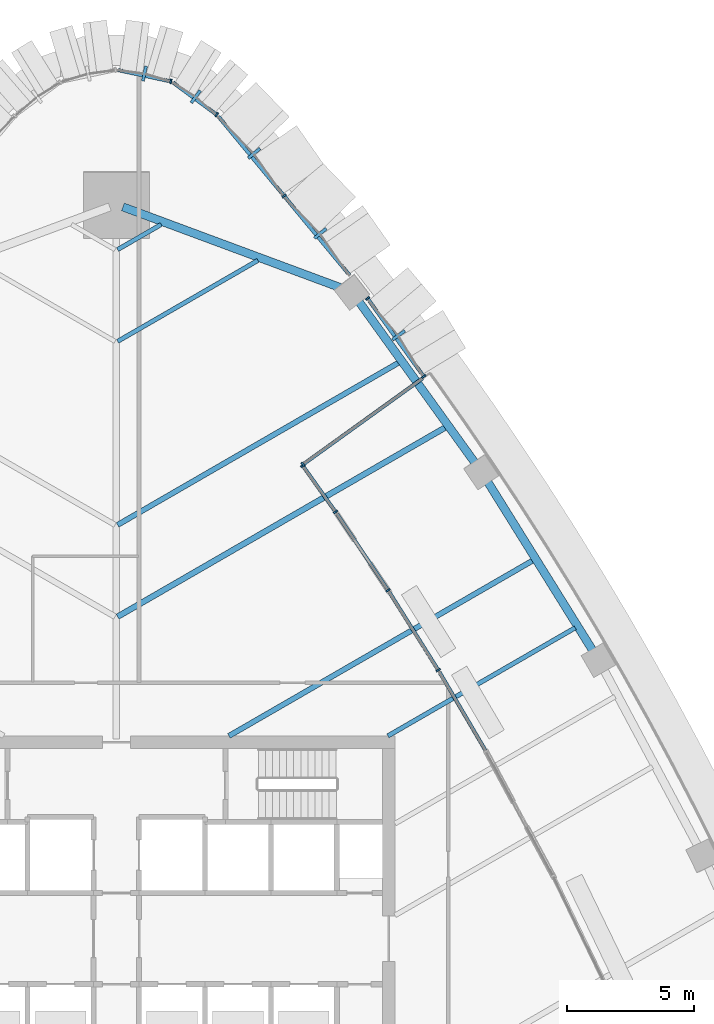
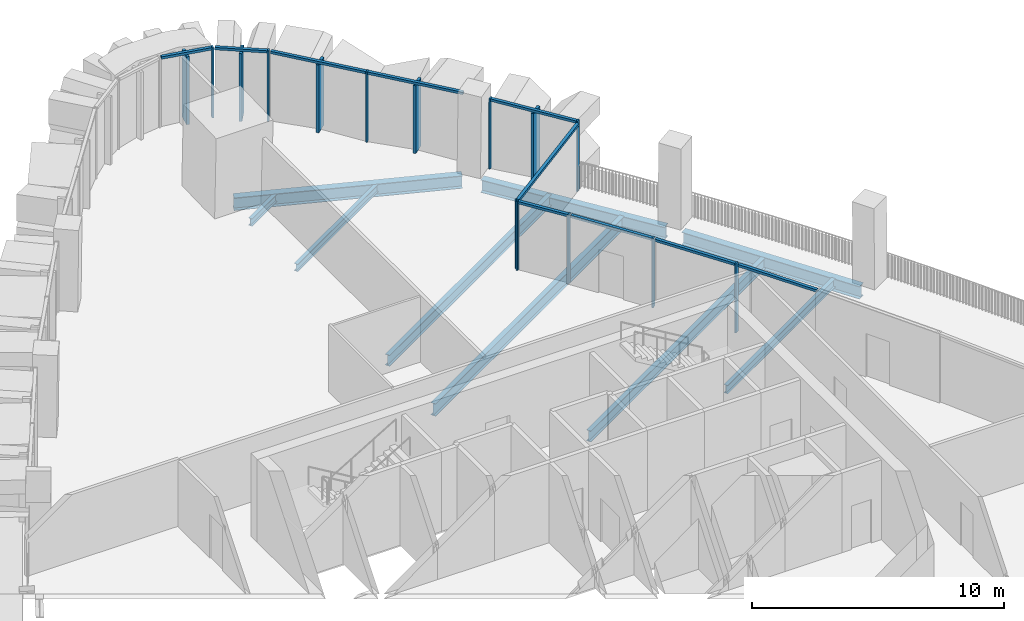
# One storey, part 7 of 20: 25 members, 9 beams, 9 elements without a shape of their own.
"""IFC4 building model written with IfcOpenShell, lengths in metres."""

from ifc_helpers import new_model, si_unit, direction, frame, origin, origin_2d, place, context, subcontext, project, spatial, rectangle, i_section, extrude, material, layer, layer_set, material_profile, profile_set, type_object, element, aggregate, save


model = new_model("IFC4")

# Units and contexts
model_context = context("Model", 3, precision=1e-05, world=origin(), true_north=direction((0.0, 1.0)))
body_context = subcontext(model_context, "Body", "Model", "MODEL_VIEW")
ifc_project = project(units=[si_unit("LENGTHUNIT", "METRE"), si_unit("AREAUNIT", "SQUARE_METRE"), si_unit("VOLUMEUNIT", "CUBIC_METRE"), si_unit("PLANEANGLEUNIT", "RADIAN"), si_unit("MASSUNIT", "GRAM", prefix="KILO")], contexts=[model_context])

# Site, building, storey
site_placement = place(None, origin())
site = spatial("IfcSite", under=ifc_project, at=site_placement, CompositionType="ELEMENT")
building_placement = place(site_placement, origin())
building = spatial("IfcBuilding", under=site, at=building_placement, Name="Sierra Prisma Convention Tower", CompositionType="ELEMENT")
storey_placement = place(building_placement, frame((0.0, 0.0, 125.800048828125)))
storey = spatial("IfcBuildingStorey", under=building, at=storey_placement, Name="L26", CompositionType="ELEMENT", Elevation=125.800048828125)

# Curtain wall, member
ifc_material_1 = material(Name="Aluminium and glass curtain wall", Category="aluminium")
ifc_layer_1 = layer(ifc_material_1, 0.179931640625)
ifc_layer_set_1 = layer_set([ifc_layer_1], Name="CW-2 Faceted crystal curtain wall")
curtain_wall_type_1 = type_object("IfcCurtainWallType", Name="CW-2 Faceted crystal curtain wall", PredefinedType="NOTDEFINED", material=ifc_layer_set_1)
curtain_wall_1_placement = place(storey_placement, origin())
curtain_wall_1 = element("IfcCurtainWall", 1, at=curtain_wall_1_placement, inside=storey, type_object=curtain_wall_type_1, Name="CW-2 NE5b L26", PredefinedType="NOTDEFINED")
ifc_material_2 = material(Name="Aluminium 6063-T6 bronze anodised", Category="aluminium")
ifc_material_profile_1 = material_profile(ifc_material_2, rectangle(XDim=0.1201171875, YDim=0.60009765625, at=origin_2d()), Name="ALU RIDGE BLADE 120x600")
ifc_profile_set_1 = profile_set([ifc_material_profile_1], Name="Aluminium 6063-T6 bronze anodised")
member_type_1 = type_object("IfcMemberType", Name="CW hip bronze", PredefinedType="MULLION", material=ifc_profile_set_1)
member_1_placement = place(storey_placement, frame((11.142822265625, 23.8154296875, 0.0), z_axis=(0.0, 0.0, 1.0), x_axis=(-0.584192270918, 0.811615297169, 0.0)))
member_1 = element("IfcMember", 2, at=member_1_placement, type_object=member_type_1, Name="CW-2 ridge NE5b.1", PredefinedType="MULLION", context=body_context, shape_type="SweptSolid", body=[
    extrude(rectangle(XDim=0.1201171875, YDim=0.60009765625, at=origin_2d()), origin(), (0.0, 0.0, 1.0), 3.280029296875),
])

# Curtain wall, members
curtain_wall_2_placement = place(storey_placement, origin())
curtain_wall_2 = element("IfcCurtainWall", 3, at=curtain_wall_2_placement, inside=storey, type_object=curtain_wall_type_1, Name="CW-2 NE6 L26", PredefinedType="NOTDEFINED")
member_2_placement = place(storey_placement, frame((8.051513671875, 27.834228515625, 0.0), z_axis=(0.0, 0.0, 1.0), x_axis=(-0.637108987456, 0.770773726915, 0.0)))
member_2 = element("IfcMember", 4, at=member_2_placement, type_object=member_type_1, Name="CW-2 ridge NE6.1", PredefinedType="MULLION", context=body_context, shape_type="SweptSolid", body=[
    extrude(rectangle(XDim=0.1201171875, YDim=0.60009765625, at=origin_2d()), origin(), (0.0, 0.0, 1.0), 3.280029296875),
])
member_3_placement = place(storey_placement, frame((5.437744140625, 30.99658203125, 0.0), z_axis=(0.0, 0.0, 1.0), x_axis=(-0.637108987456, 0.770773726915, 0.0)))
member_3 = element("IfcMember", 5, at=member_3_placement, type_object=member_type_1, Name="CW-2 ridge NE6.2", PredefinedType="MULLION", context=body_context, shape_type="SweptSolid", body=[
    extrude(rectangle(XDim=0.1201171875, YDim=0.60009765625, at=origin_2d()), origin(), (0.0, 0.0, 1.0), 3.280029296875),
])

# Curtain wall, member
curtain_wall_3_placement = place(storey_placement, origin())
curtain_wall_3 = element("IfcCurtainWall", 6, at=curtain_wall_3_placement, inside=storey, type_object=curtain_wall_type_1, Name="CW-2 N1 L26", PredefinedType="NOTDEFINED")
member_4_placement = place(storey_placement, frame((3.135009765625, 33.233154296875, 0.0), z_axis=(0.0, 0.0, 1.0), x_axis=(-0.805089732799, 0.593153034336, 0.0)))
member_4 = element("IfcMember", 7, at=member_4_placement, type_object=member_type_1, Name="CW-2 ridge N1.1", PredefinedType="MULLION", context=body_context, shape_type="SweptSolid", body=[
    extrude(rectangle(XDim=0.1201171875, YDim=0.60009765625, at=origin_2d()), origin(), (0.0, 0.0, 1.0), 3.280029296875),
])

curtain_wall_4_placement = place(storey_placement, origin())
curtain_wall_4 = element("IfcCurtainWall", 8, at=curtain_wall_4_placement, inside=storey, type_object=curtain_wall_type_1, Name="CW-2 N2 L26", PredefinedType="NOTDEFINED")
member_5_placement = place(storey_placement, frame((1.1103515625, 34.145263671875, 0.0), z_axis=(0.0, 0.0, 1.0), x_axis=(-0.977684252686, 0.21007975164, 0.0)))
member_5 = element("IfcMember", 9, at=member_5_placement, type_object=member_type_1, Name="CW-2 ridge N2.1", PredefinedType="MULLION", context=body_context, shape_type="SweptSolid", body=[
    extrude(rectangle(XDim=0.1201171875, YDim=0.60009765625, at=origin_2d()), origin(), (0.0, 0.0, 1.0), 3.280029296875),
])

# Member
ifc_material_3 = material(Name="Aluminium 6063-T6 bronze anodised", Category="aluminium")
ifc_material_profile_2 = material_profile(ifc_material_3, rectangle(XDim=0.179931640625, YDim=0.070068359375, at=origin_2d()), Name="ALU MULLION 70x180")
ifc_profile_set_2 = profile_set([ifc_material_profile_2], Name="Aluminium 6063-T6 bronze anodised")
member_type_2 = type_object("IfcMemberType", Name="CW mullion bronze", PredefinedType="MULLION", material=ifc_profile_set_2)
member_6_placement = place(storey_placement, frame((12.132568359375, 22.189208984375, 0.0), z_axis=(0.0, 0.0, 1.0), x_axis=(-0.811615297169, -0.584192270918, 0.0)))
member_6 = element("IfcMember", 10, at=member_6_placement, type_object=member_type_2, Name="CW-1 mullion NE5b.1", PredefinedType="MULLION", context=body_context, shape_type="SweptSolid", body=[
    extrude(rectangle(XDim=0.179931640625, YDim=0.070068359375, at=origin_2d()), origin(), (0.0, 0.0, 1.0), 3.39990234375),
])

member_7_placement = place(storey_placement, frame((9.914794921875, 25.270263671875, 0.0), z_axis=(0.0, 0.0, 1.0), x_axis=(-0.811615297169, -0.584192270918, 0.0)))
member_7 = element("IfcMember", 11, at=member_7_placement, type_object=member_type_2, Name="CW-1 mullion NE5b.2", PredefinedType="MULLION", context=body_context, shape_type="SweptSolid", body=[
    extrude(rectangle(XDim=0.179931640625, YDim=0.070068359375, at=origin_2d()), origin(), (0.0, 0.0, 1.0), 3.39990234375),
])

member_8_placement = place(storey_placement, frame((6.622314453125, 29.314208984375, 0.0), z_axis=(0.0, 0.0, 1.0), x_axis=(-0.770773726915, -0.637108987456, 0.0)))
member_8 = element("IfcMember", 12, at=member_8_placement, type_object=member_type_2, Name="CW-1 mullion NE6.2", PredefinedType="MULLION", context=body_context, shape_type="SweptSolid", body=[
    extrude(rectangle(XDim=0.179931640625, YDim=0.070068359375, at=origin_2d()), origin(), (0.0, 0.0, 1.0), 3.39990234375),
])

member_9_placement = place(storey_placement, frame((3.957763671875, 32.5244140625, 0.0), z_axis=(0.0, 0.0, 1.0), x_axis=(-0.593153034336, -0.805089732799, 0.0)))
member_9 = element("IfcMember", 13, at=member_9_placement, type_object=member_type_2, Name="CW-1 mullion N1.1", PredefinedType="MULLION", context=body_context, shape_type="SweptSolid", body=[
    extrude(rectangle(XDim=0.179931640625, YDim=0.070068359375, at=origin_2d()), origin(), (0.0, 0.0, 1.0), 3.39990234375),
])

member_10_placement = place(storey_placement, frame((2.15185546875, 33.837158203125, 0.0), z_axis=(0.0, 0.0, 1.0), x_axis=(-0.21007975164, -0.977684252686, 0.0)))
member_10 = element("IfcMember", 14, at=member_10_placement, type_object=member_type_2, Name="CW-1 mullion N2.1", PredefinedType="MULLION", context=body_context, shape_type="SweptSolid", body=[
    extrude(rectangle(XDim=0.179931640625, YDim=0.070068359375, at=origin_2d()), origin(), (0.0, 0.0, 1.0), 3.39990234375),
])

# Curtain wall, member
ifc_material_4 = material(Name="Aluminium and glass curtain wall", Category="aluminium")
ifc_layer_2 = layer(ifc_material_4, 0.179931640625)
ifc_layer_set_2 = layer_set([ifc_layer_2], Name="CW-6 Terrace recess curtain wall")
curtain_wall_type_2 = type_object("IfcCurtainWallType", Name="CW-6 Terrace recess curtain wall", PredefinedType="NOTDEFINED", material=ifc_layer_set_2)
curtain_wall_5_placement = place(storey_placement, origin())
curtain_wall_5 = element("IfcCurtainWall", 15, at=curtain_wall_5_placement, inside=storey, type_object=curtain_wall_type_2, Name="CW-6 R34 L26", PredefinedType="NOTDEFINED")
member_11_placement = place(storey_placement, frame((12.70556640625, 10.599609375, 0.0), z_axis=(0.0, 0.0, 1.0), x_axis=(-0.846860933113, -0.531814403686, 0.0)))
member_11 = element("IfcMember", 16, at=member_11_placement, type_object=member_type_2, Name="CW-6 mullion R34.1", PredefinedType="MULLION", context=body_context, shape_type="SweptSolid", body=[
    extrude(rectangle(XDim=0.179931640625, YDim=0.070068359375, at=origin_2d()), origin(), (0.0, 0.0, 1.0), 3.33984375),
])

curtain_wall_6_placement = place(storey_placement, origin())
curtain_wall_6 = element("IfcCurtainWall", 17, at=curtain_wall_6_placement, inside=storey, type_object=curtain_wall_type_2, Name="CW-6 R35 L26", PredefinedType="NOTDEFINED")
member_12_placement = place(storey_placement, frame((10.724853515625, 13.751708984375, 0.0), z_axis=(0.0, 0.0, 1.0), x_axis=(-0.830686937763, -0.556739805861, 0.0)))
member_12 = element("IfcMember", 18, at=member_12_placement, type_object=member_type_2, Name="CW-6 mullion R35.1", PredefinedType="MULLION", context=body_context, shape_type="SweptSolid", body=[
    extrude(rectangle(XDim=0.179931640625, YDim=0.070068359375, at=origin_2d()), origin(), (0.0, 0.0, 1.0), 3.33984375),
])

# Curtain wall, members
curtain_wall_7_placement = place(storey_placement, origin())
curtain_wall_7 = element("IfcCurtainWall", 19, at=curtain_wall_7_placement, inside=storey, type_object=curtain_wall_type_2, Name="CW-6 R36 L26", PredefinedType="NOTDEFINED")
member_13_placement = place(storey_placement, frame((8.651611328125, 16.843505859375, 0.0), z_axis=(0.0, 0.0, 1.0), x_axis=(-0.815599530007, -0.578616804674, 0.0)))
member_13 = element("IfcMember", 20, at=member_13_placement, type_object=member_type_2, Name="CW-6 mullion R36.1", PredefinedType="MULLION", context=body_context, shape_type="SweptSolid", body=[
    extrude(rectangle(XDim=0.179931640625, YDim=0.070068359375, at=origin_2d()), origin(), (0.0, 0.0, 1.0), 3.33984375),
])
member_14_placement = place(storey_placement, frame((7.3583984375, 18.666259765625, 0.0), z_axis=(0.0, 0.0, 1.0), x_axis=(-0.815599530007, -0.578616804674, 0.0)))
member_14 = element("IfcMember", 21, at=member_14_placement, type_object=member_type_2, Name="CW-6 mullion R36.2", PredefinedType="MULLION", context=body_context, shape_type="SweptSolid", body=[
    extrude(rectangle(XDim=0.179931640625, YDim=0.070068359375, at=origin_2d()), origin(), (0.0, 0.0, 1.0), 3.33984375),
])

# Curtain wall, member
curtain_wall_8_placement = place(storey_placement, origin())
curtain_wall_8 = element("IfcCurtainWall", 22, at=curtain_wall_8_placement, inside=storey, type_object=curtain_wall_type_2, Name="CW-6 RT2 L26", PredefinedType="NOTDEFINED")
member_15_placement = place(storey_placement, frame((7.366455078125, 18.71533203125, 0.0), z_axis=(0.0, 0.0, 1.0), x_axis=(-0.584192270918, 0.811615297169, 0.0)))
member_15 = element("IfcMember", 23, at=member_15_placement, type_object=member_type_2, Name="CW-6 mullion RT2.1", PredefinedType="MULLION", context=body_context, shape_type="SweptSolid", body=[
    extrude(rectangle(XDim=0.179931640625, YDim=0.070068359375, at=origin_2d()), origin(), (0.0, 0.0, 1.0), 3.33984375),
])

# Member
ifc_material_5 = material(Name="Aluminium 6063-T6 bronze anodised", Category="aluminium")
ifc_material_profile_3 = material_profile(ifc_material_5, rectangle(XDim=0.139892578125, YDim=0.1201171875, at=origin_2d()), Name="ALU TRANSOM 120x140")
ifc_profile_set_3 = profile_set([ifc_material_profile_3], Name="Aluminium 6063-T6 bronze anodised")
member_type_3 = type_object("IfcMemberType", Name="CW transom bronze", PredefinedType="USERDEFINED", material=ifc_profile_set_3)
member_16_placement = place(storey_placement, frame((12.1123046875, 22.217529296875, 3.33984375), z_axis=(-0.584202892418, 0.811607651819, 0.0), x_axis=(-0.811607651819, -0.584202892418, 0.0)))
member_16 = element("IfcMember", 24, at=member_16_placement, type_object=member_type_3, Name="CW-1 transom NE5b.1", ObjectType="TRANSOM", PredefinedType="USERDEFINED", context=body_context, shape_type="SweptSolid", body=[
    extrude(rectangle(XDim=0.139892578125, YDim=0.1201171875, at=origin_2d()), origin(), (0.0, 0.0, 1.0), 3.7265625),
])

aggregate(curtain_wall_1, [member_6, member_7, member_16, member_1])

member_17_placement = place(storey_placement, frame((9.2138671875, 26.178955078125, 3.33984375), z_axis=(-0.637106704484, 0.770775613977, 0.0), x_axis=(-0.770775613977, -0.637106704484, 0.0)))
member_17 = element("IfcMember", 25, at=member_17_placement, type_object=member_type_3, Name="CW-1 transom NE6.1", ObjectType="TRANSOM", PredefinedType="USERDEFINED", context=body_context, shape_type="SweptSolid", body=[
    extrude(rectangle(XDim=0.139892578125, YDim=0.1201171875, at=origin_2d()), origin(), (0.0, 0.0, 1.0), 4.03271484375),
])

member_18_placement = place(storey_placement, frame((6.60009765625, 29.34130859375, 3.33984375), z_axis=(-0.637142668, 0.770745885888, 0.0), x_axis=(-0.770745885888, -0.637142668, 0.0)))
member_18 = element("IfcMember", 26, at=member_18_placement, type_object=member_type_3, Name="CW-1 transom NE6.2", ObjectType="TRANSOM", PredefinedType="USERDEFINED", context=body_context, shape_type="SweptSolid", body=[
    extrude(rectangle(XDim=0.139892578125, YDim=0.1201171875, at=origin_2d()), origin(), (0.0, 0.0, 1.0), 4.032958984375),
])

aggregate(curtain_wall_2, [member_8, member_17, member_2, member_18, member_3])

member_19_placement = place(storey_placement, frame((3.9296875, 32.545166015625, 3.33984375), z_axis=(-0.805073404853, 0.593175195704, 0.0), x_axis=(-0.593175195704, -0.805073404853, 0.0)))
member_19 = element("IfcMember", 27, at=member_19_placement, type_object=member_type_3, Name="CW-1 transom N1.1", ObjectType="TRANSOM", PredefinedType="USERDEFINED", context=body_context, shape_type="SweptSolid", body=[
    extrude(rectangle(XDim=0.139892578125, YDim=0.1201171875, at=origin_2d()), origin(), (0.0, 0.0, 1.0), 2.095703125),
])

aggregate(curtain_wall_3, [member_9, member_19, member_4])

member_20_placement = place(storey_placement, frame((2.117431640625, 33.844482421875, 3.33984375), z_axis=(-0.977670961844, 0.210141595993, 0.0), x_axis=(-0.210141595993, -0.977670961844, 0.0)))
member_20 = element("IfcMember", 28, at=member_20_placement, type_object=member_type_3, Name="CW-1 transom N2.1", ObjectType="TRANSOM", PredefinedType="USERDEFINED", context=body_context, shape_type="SweptSolid", body=[
    extrude(rectangle(XDim=0.139892578125, YDim=0.1201171875, at=origin_2d()), origin(), (0.0, 0.0, 1.0), 2.095947265625),
])

aggregate(curtain_wall_4, [member_10, member_20, member_5])

# Curtain wall, member
curtain_wall_9_placement = place(storey_placement, origin())
curtain_wall_9 = element("IfcCurtainWall", 29, at=curtain_wall_9_placement, inside=storey, type_object=curtain_wall_type_2, Name="CW-6 R33 L26", PredefinedType="NOTDEFINED")
member_21_placement = place(storey_placement, frame((14.573974609375, 7.42041015625, 3.280029296875), z_axis=(-0.506436330673, 0.862277358496, 0.0), x_axis=(-0.862277358496, -0.506436330673, 0.0)))
member_21 = element("IfcMember", 30, at=member_21_placement, type_object=member_type_3, Name="CW-6 transom R33.1", ObjectType="TRANSOM", PredefinedType="USERDEFINED", context=body_context, shape_type="SweptSolid", body=[
    extrude(rectangle(XDim=0.139892578125, YDim=0.1201171875, at=origin_2d()), origin(), (0.0, 0.0, 1.0), 3.582763671875),
])
aggregate(curtain_wall_9, [member_21])

# Member
member_22_placement = place(storey_placement, frame((12.68701171875, 10.62939453125, 3.280029296875), z_axis=(-0.531865878194, 0.846828605807, 0.0), x_axis=(-0.846828605807, -0.531865878194, 0.0)))
member_22 = element("IfcMember", 31, at=member_22_placement, type_object=member_type_3, Name="CW-6 transom R34.1", ObjectType="TRANSOM", PredefinedType="USERDEFINED", context=body_context, shape_type="SweptSolid", body=[
    extrude(rectangle(XDim=0.139892578125, YDim=0.1201171875, at=origin_2d()), origin(), (0.0, 0.0, 1.0), 3.582763671875),
])

aggregate(curtain_wall_5, [member_11, member_22])

member_23_placement = place(storey_placement, frame((10.705322265625, 13.78076171875, 3.280029296875), z_axis=(-0.556742865356, 0.830684887232, 0.0), x_axis=(-0.830684887232, -0.556742865356, 0.0)))
member_23 = element("IfcMember", 32, at=member_23_placement, type_object=member_type_3, Name="CW-6 transom R35.1", ObjectType="TRANSOM", PredefinedType="USERDEFINED", context=body_context, shape_type="SweptSolid", body=[
    extrude(rectangle(XDim=0.139892578125, YDim=0.1201171875, at=origin_2d()), origin(), (0.0, 0.0, 1.0), 3.582763671875),
])

aggregate(curtain_wall_6, [member_12, member_23])

member_24_placement = place(storey_placement, frame((8.63134765625, 16.8720703125, 3.280029296875), z_axis=(-0.578589750516, 0.815618722565, 0.0), x_axis=(-0.815618722565, -0.578589750516, 0.0)))
member_24 = element("IfcMember", 33, at=member_24_placement, type_object=member_type_3, Name="CW-6 transom R36.1", ObjectType="TRANSOM", PredefinedType="USERDEFINED", context=body_context, shape_type="SweptSolid", body=[
    extrude(rectangle(XDim=0.139892578125, YDim=0.1201171875, at=origin_2d()), origin(), (0.0, 0.0, 1.0), 2.1650390625),
])

aggregate(curtain_wall_7, [member_13, member_14, member_24])

member_25_placement = place(storey_placement, frame((7.39501953125, 18.73583984375, 3.280029296875), z_axis=(0.811600689242, 0.584212565101, 0.0), x_axis=(-0.584212565101, 0.811600689242, 0.0)))
member_25 = element("IfcMember", 34, at=member_25_placement, type_object=member_type_3, Name="CW-6 transom RT2.1", ObjectType="TRANSOM", PredefinedType="USERDEFINED", context=body_context, shape_type="SweptSolid", body=[
    extrude(rectangle(XDim=0.139892578125, YDim=0.1201171875, at=origin_2d()), origin(), (0.0, 0.0, 1.0), 5.79248046875),
])

aggregate(curtain_wall_8, [member_15, member_25])

# Beams
ifc_material_6 = material(Name="Steel ASTM A992 Gr 50", Category="steel")
ifc_material_profile_4 = material_profile(ifc_material_6, i_section(OverallWidth=0.172119140625, OverallDepth=0.35791015625, WebThickness=0.0078125, FlangeThickness=0.01318359375, at=origin_2d()), Name="W360x57")
ifc_profile_set_4 = profile_set([ifc_material_profile_4], Name="Steel ASTM A992 Gr 50")
beam_type_1 = type_object("IfcBeamType", Name="Floor joist W360x57", PredefinedType="JOIST", material=ifc_profile_set_4)
beam_1_placement = place(storey_placement, frame((5.588623046875, 26.771240234375, -0.3291015625), z_axis=(-0.866026001523, -0.499998964685, 0.0), x_axis=(0.499998964685, -0.866026001523, 0.0)))
element("IfcBeam", 35, at=beam_1_placement, inside=storey, type_object=beam_type_1, Name="Floor joist L26 NE15", PredefinedType="JOIST", context=body_context, shape_type="SweptSolid", body=[
    extrude(i_section(OverallWidth=0.172119140625, OverallDepth=0.35791015625, WebThickness=0.0078125, FlangeThickness=0.01318359375, at=origin_2d()), origin(), (0.0, 0.0, 1.0), 6.39453125),
])
beam_2_placement = place(storey_placement, frame((1.769775390625, 28.188720703125, -0.3291015625), z_axis=(-0.866031967744, -0.499988630717, 0.0), x_axis=(0.499988630717, -0.866031967744, 0.0)))
element("IfcBeam", 36, at=beam_2_placement, inside=storey, type_object=beam_type_1, Name="Floor joist L26 NE16", PredefinedType="JOIST", context=body_context, shape_type="SweptSolid", body=[
    extrude(i_section(OverallWidth=0.172119140625, OverallDepth=0.35791015625, WebThickness=0.0078125, FlangeThickness=0.01318359375, at=origin_2d()), origin(), (0.0, 0.0, 1.0), 1.98486328125),
])
ifc_material_7 = material(Name="Steel ASTM A992 Gr 50", Category="steel")
ifc_material_profile_5 = material_profile(ifc_material_7, i_section(OverallWidth=0.177978515625, OverallDepth=0.406982421875, WebThickness=0.0078125, FlangeThickness=0.0126953125, at=origin_2d()), Name="W410x60")
ifc_profile_set_5 = profile_set([ifc_material_profile_5], Name="Steel ASTM A992 Gr 50")
beam_type_2 = type_object("IfcBeamType", Name="Floor joist W410x60", PredefinedType="JOIST", material=ifc_profile_set_5)
beam_3_placement = place(storey_placement, frame((18.113037109375, 12.268798828125, -0.503662109375), z_axis=(-0.866018909639, -0.50001124802, 0.0), x_axis=(0.50001124802, -0.866018909639, 0.0)))
element("IfcBeam", 37, at=beam_3_placement, inside=storey, type_object=beam_type_2, Name="Floor joist L26 NE09", PredefinedType="JOIST", context=body_context, shape_type="SweptSolid", body=[
    extrude(i_section(OverallWidth=0.177978515625, OverallDepth=0.406982421875, WebThickness=0.0078125, FlangeThickness=0.0126953125, at=origin_2d()), origin(), (0.0, 0.0, 1.0), 8.537353515625),
])
ifc_material_8 = material(Name="Steel ASTM A992 Gr 50", Category="steel")
ifc_material_profile_6 = material_profile(ifc_material_8, i_section(OverallWidth=0.208984375, OverallDepth=0.532958984375, WebThickness=0.01025390625, FlangeThickness=0.015625, at=origin_2d()), Name="W530x92")
ifc_profile_set_6 = profile_set([ifc_material_profile_6], Name="Steel ASTM A992 Gr 50")
beam_type_3 = type_object("IfcBeamType", Name="Floor joist W530x92", PredefinedType="JOIST", material=ifc_profile_set_6)
beam_4_placement = place(storey_placement, frame((16.45361328125, 14.932861328125, -0.566650390625), z_axis=(-0.866025197853, -0.500000356683, 0.0), x_axis=(0.500000356683, -0.866025197853, 0.0)))
element("IfcBeam", 38, at=beam_4_placement, inside=storey, type_object=beam_type_3, Name="Floor joist L26 NE10", PredefinedType="JOIST", context=body_context, shape_type="SweptSolid", body=[
    extrude(i_section(OverallWidth=0.208984375, OverallDepth=0.532958984375, WebThickness=0.01025390625, FlangeThickness=0.015625, at=origin_2d()), origin(), (0.0, 0.0, 1.0), 13.86572265625),
])
beam_5_placement = place(storey_placement, frame((11.16259765625, 22.744873046875, -0.41650390625), z_axis=(-0.866029689421, -0.499992576986, 0.0), x_axis=(0.499992576986, -0.866029689421, 0.0)))
element("IfcBeam", 39, at=beam_5_placement, inside=storey, type_object=beam_type_3, Name="Floor joist L26 NE13", PredefinedType="JOIST", context=body_context, shape_type="SweptSolid", body=[
    extrude(i_section(OverallWidth=0.208984375, OverallDepth=0.532958984375, WebThickness=0.01025390625, FlangeThickness=0.015625, at=origin_2d()), origin(), (0.0, 0.0, 1.0), 12.830810546875),
])
ifc_material_9 = material(Name="Steel ASTM A992 Gr 50", Category="steel")
ifc_material_profile_7 = material_profile(ifc_material_9, i_section(OverallWidth=0.22802734375, OverallDepth=0.60302734375, WebThickness=0.010498046875, FlangeThickness=0.014892578125, at=origin_2d()), Name="W610x101")
ifc_profile_set_7 = profile_set([ifc_material_profile_7], Name="Steel ASTM A992 Gr 50")
beam_type_4 = type_object("IfcBeamType", Name="Floor joist W610x101", PredefinedType="JOIST", material=ifc_profile_set_7)
beam_6_placement = place(storey_placement, frame((13.00439453125, 20.18603515625, -0.6015625), z_axis=(-0.866025761289, -0.499999380783, 0.0), x_axis=(0.499999380783, -0.866025761289, 0.0)))
element("IfcBeam", 40, at=beam_6_placement, inside=storey, type_object=beam_type_4, Name="Floor joist L26 NE12", PredefinedType="JOIST", context=body_context, shape_type="SweptSolid", body=[
    extrude(i_section(OverallWidth=0.22802734375, OverallDepth=0.60302734375, WebThickness=0.010498046875, FlangeThickness=0.014892578125, at=origin_2d()), origin(), (0.0, 0.0, 1.0), 14.95751953125),
])
ifc_material_10 = material(Name="Steel ASTM A992 Gr 50", Category="steel")
ifc_material_profile_8 = material_profile(ifc_material_10, i_section(OverallWidth=0.324951171875, OverallDepth=0.615966796875, WebThickness=0.013916015625, FlangeThickness=0.021484375, at=origin_2d()), Name="W610x174")
ifc_profile_set_8 = profile_set([ifc_material_profile_8], Name="Steel ASTM A992 Gr 50")
beam_type_5 = type_object("IfcBeamType", Name="Spandrel beam W610x174", PredefinedType="BEAM", material=ifc_profile_set_8)
beam_7_placement = place(storey_placement, frame((18.839111328125, 11.315673828125, -0.608154296875), z_axis=(-0.528652737995, 0.848838195777, 0.0), x_axis=(-0.848838195777, -0.528652737995, 0.0)))
element("IfcBeam", 41, at=beam_7_placement, inside=storey, type_object=beam_type_5, Name="Spandrel L26-10", PredefinedType="BEAM", context=body_context, shape_type="SweptSolid", body=[
    extrude(i_section(OverallWidth=0.324951171875, OverallDepth=0.615966796875, WebThickness=0.013916015625, FlangeThickness=0.021484375, at=origin_2d()), origin(), (0.0, 0.0, 1.0), 7.99169921875),
])
beam_8_placement = place(storey_placement, frame((14.19091796875, 18.730712890625, -0.608154296875), z_axis=(-0.584184809771, 0.811620667573, 0.0), x_axis=(-0.811620667573, -0.584184809771, 0.0)))
element("IfcBeam", 42, at=beam_8_placement, inside=storey, type_object=beam_type_5, Name="Spandrel L26-11", PredefinedType="BEAM", context=body_context, shape_type="SweptSolid", body=[
    extrude(i_section(OverallWidth=0.324951171875, OverallDepth=0.615966796875, WebThickness=0.013916015625, FlangeThickness=0.021484375, at=origin_2d()), origin(), (0.0, 0.0, 1.0), 7.991943359375),
])
beam_9_placement = place(storey_placement, frame((8.860107421875, 25.68896484375, -0.4580078125), z_axis=(-0.937485567778, 0.348024151758, 0.0), x_axis=(-0.348024151758, -0.937485567778, 0.0)))
element("IfcBeam", 43, at=beam_9_placement, inside=storey, type_object=beam_type_5, Name="Spandrel L26-12", PredefinedType="BEAM", context=body_context, shape_type="SweptSolid", body=[
    extrude(i_section(OverallWidth=0.324951171875, OverallDepth=0.615966796875, WebThickness=0.013916015625, FlangeThickness=0.021484375, at=origin_2d()), origin(), (0.0, 0.0, 1.0), 9.173583984375),
])

save(model, "model.ifc")
